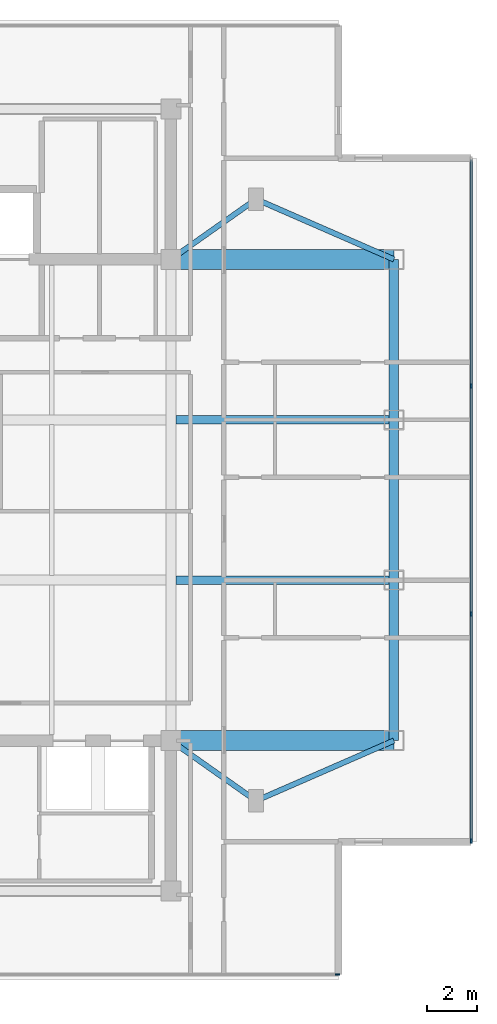
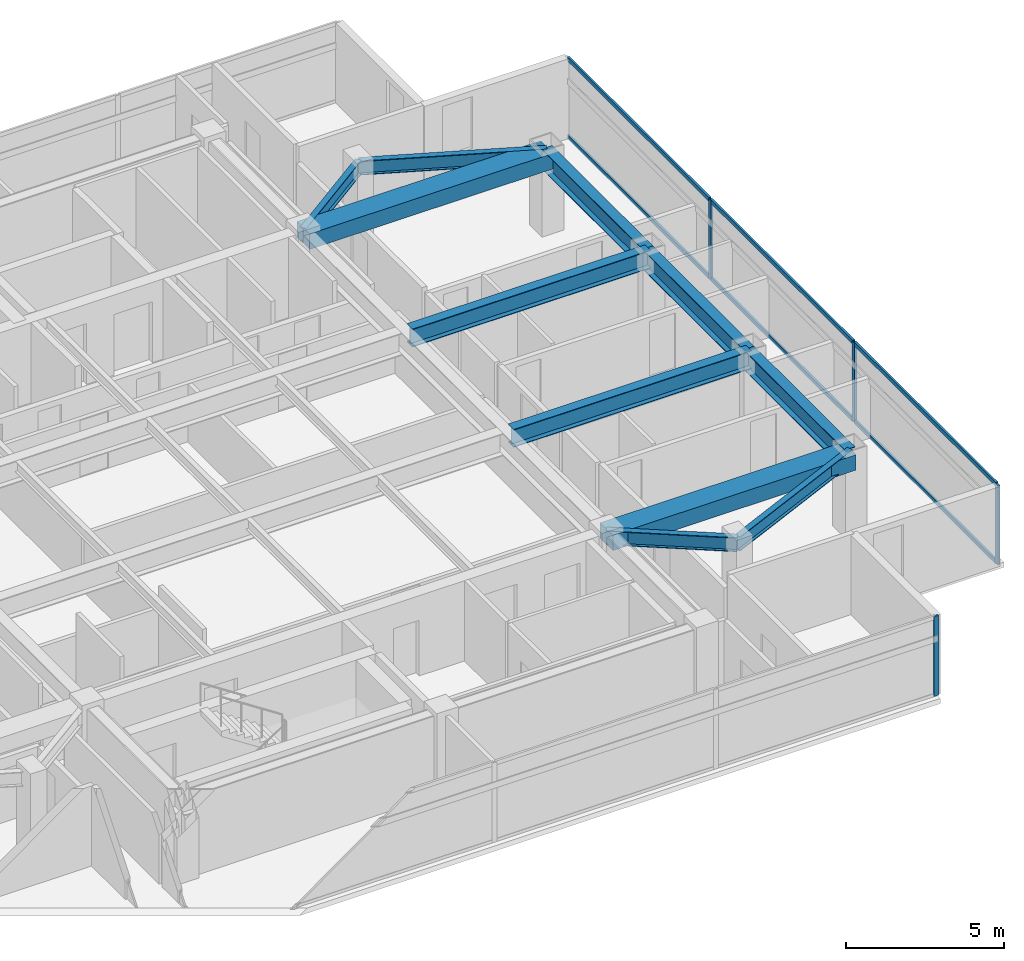
# One storey, part 4 of 14: 11 beams, 10 members, 2 elements without a shape of their own.
"""IFC4 building model written with IfcOpenShell, lengths in metres."""

from ifc_helpers import new_model, si_unit, direction, frame, origin, origin_2d, place, context, subcontext, project, spatial, rectangle, i_section, extrude, material, material_profile, profile_set, type_object, element, aggregate, save


model = new_model("IFC4")

# Units and contexts
model_context = context("Model", 3, precision=1e-05, world=origin(), true_north=direction((0.0, 1.0)))
body_context = subcontext(model_context, "Body", "Model", "MODEL_VIEW")
ifc_project = project(units=[si_unit("LENGTHUNIT", "METRE"), si_unit("AREAUNIT", "SQUARE_METRE"), si_unit("VOLUMEUNIT", "CUBIC_METRE"), si_unit("PLANEANGLEUNIT", "RADIAN"), si_unit("MASSUNIT", "GRAM", prefix="KILO")], contexts=[model_context])

# Site, building, storey
site_placement = place(None, origin())
site = spatial("IfcSite", under=ifc_project, at=site_placement, CompositionType="ELEMENT")
building_placement = place(site_placement, origin())
building = spatial("IfcBuilding", under=site, at=building_placement, Name="Mirazonda Arch Towers", CompositionType="ELEMENT")
storey_placement = place(building_placement, frame((0.0, 0.0, 235.89990234375)))
storey = spatial("IfcBuildingStorey", under=building, at=storey_placement, Name="L67", CompositionType="ELEMENT", Elevation=235.89990234375)

# Beams
ifc_material_1 = material(Name="Steel ASTM A992 Grade 50", Category="steel")
ifc_material_profile_1 = material_profile(ifc_material_1, i_section(OverallWidth=0.381103515625, OverallDepth=0.77294921875, WebThickness=0.0166015625, FlangeThickness=0.027099609375, at=origin_2d()), Name="W30X173")
ifc_profile_set_1 = profile_set([ifc_material_profile_1], Name="Steel ASTM A992 Grade 50")
beam_type_1 = type_object("IfcBeamType", Name="BM-EXT-W30X173", PredefinedType="USERDEFINED", material=ifc_profile_set_1)
beam_1_placement = place(storey_placement, frame((38.89990234375, 18.39990234375, 2.713623046875), z_axis=(0.0, 1.0, 0.0), x_axis=(-1.0, 0.0, 0.0)))
element("IfcBeam", 1, at=beam_1_placement, inside=storey, type_object=beam_type_1, Name="L67 Floor Beam BM-T1-L67-NS-E-18", ObjectType="GIRDER", PredefinedType="USERDEFINED", context=body_context, shape_type="SweptSolid", body=[
    extrude(i_section(OverallWidth=0.381103515625, OverallDepth=0.77294921875, WebThickness=0.0166015625, FlangeThickness=0.027099609375, at=origin_2d()), origin(), (0.0, 0.0, 1.0), 6.400146484375),
])
beam_2_placement = place(storey_placement, frame((38.89990234375, 24.800048828125, 2.713623046875), z_axis=(0.0, 1.0, 0.0), x_axis=(-1.0, 0.0, 0.0)))
element("IfcBeam", 2, at=beam_2_placement, inside=storey, type_object=beam_type_1, Name="L67 Floor Beam BM-T1-L67-NS-E-24", ObjectType="GIRDER", PredefinedType="USERDEFINED", context=body_context, shape_type="SweptSolid", body=[
    extrude(i_section(OverallWidth=0.381103515625, OverallDepth=0.77294921875, WebThickness=0.0166015625, FlangeThickness=0.027099609375, at=origin_2d()), origin(), (0.0, 0.0, 1.0), 6.39990234375),
])
beam_3_placement = place(storey_placement, frame((38.89990234375, 31.199951171875, 2.713623046875), z_axis=(0.0, 1.0, 0.0), x_axis=(-1.0, 0.0, 0.0)))
element("IfcBeam", 3, at=beam_3_placement, inside=storey, type_object=beam_type_1, Name="L67 Floor Beam BM-T1-L67-NS-E-31", ObjectType="GIRDER", PredefinedType="USERDEFINED", context=body_context, shape_type="SweptSolid", body=[
    extrude(i_section(OverallWidth=0.381103515625, OverallDepth=0.77294921875, WebThickness=0.0166015625, FlangeThickness=0.027099609375, at=origin_2d()), origin(), (0.0, 0.0, 1.0), 6.400146484375),
])
ifc_material_profile_2 = material_profile(ifc_material_1, i_section(OverallWidth=0.214111328125, OverallDepth=0.549072265625, WebThickness=0.0146484375, FlangeThickness=0.023681640625, at=origin_2d()), Name="W21X93")
ifc_profile_set_2 = profile_set([ifc_material_profile_2], Name="Steel ASTM A992 Grade 50")
beam_type_2 = type_object("IfcBeamType", Name="BM-INT-W21X93", PredefinedType="BEAM", material=ifc_profile_set_2)
beam_4_placement = place(storey_placement, frame((33.39990234375, 16.0, 2.82568359375), z_axis=(-0.816971114901, 0.576678591087, 0.0), x_axis=(-0.576678591087, -0.816971114901, 0.0)))
element("IfcBeam", 4, at=beam_4_placement, inside=storey, type_object=beam_type_2, Name="L67 Floor Beam BM-T1-L67-PL-SE1", PredefinedType="BEAM", context=body_context, shape_type="SweptSolid", body=[
    extrude(i_section(OverallWidth=0.214111328125, OverallDepth=0.549072265625, WebThickness=0.0146484375, FlangeThickness=0.023681640625, at=origin_2d()), origin(), (0.0, 0.0, 1.0), 4.16162109375),
])
beam_5_placement = place(storey_placement, frame((33.39990234375, 16.0, 2.82568359375), z_axis=(0.916545343703, 0.399930785183, 0.0), x_axis=(-0.399930785183, 0.916545343703, 0.0)))
element("IfcBeam", 5, at=beam_5_placement, inside=storey, type_object=beam_type_2, Name="L67 Floor Beam BM-T1-L67-PL-SE2", PredefinedType="BEAM", context=body_context, shape_type="SweptSolid", body=[
    extrude(i_section(OverallWidth=0.214111328125, OverallDepth=0.549072265625, WebThickness=0.0146484375, FlangeThickness=0.023681640625, at=origin_2d()), origin(), (0.0, 0.0, 1.0), 6.000732421875),
])
beam_6_placement = place(storey_placement, frame((33.39990234375, 40.0, 2.82568359375), z_axis=(-0.816971114901, -0.576678591087, 0.0), x_axis=(0.576678591087, -0.816971114901, 0.0)))
element("IfcBeam", 6, at=beam_6_placement, inside=storey, type_object=beam_type_2, Name="L67 Floor Beam BM-T1-L67-PL-NE1", PredefinedType="BEAM", context=body_context, shape_type="SweptSolid", body=[
    extrude(i_section(OverallWidth=0.214111328125, OverallDepth=0.549072265625, WebThickness=0.0146484375, FlangeThickness=0.023681640625, at=origin_2d()), origin(), (0.0, 0.0, 1.0), 4.16162109375),
])
beam_7_placement = place(storey_placement, frame((33.39990234375, 40.0, 2.82568359375), z_axis=(0.916545343703, -0.399930785183, 0.0), x_axis=(0.399930785183, 0.916545343703, 0.0)))
element("IfcBeam", 7, at=beam_7_placement, inside=storey, type_object=beam_type_2, Name="L67 Floor Beam BM-T1-L67-PL-NE2", PredefinedType="BEAM", context=body_context, shape_type="SweptSolid", body=[
    extrude(i_section(OverallWidth=0.214111328125, OverallDepth=0.549072265625, WebThickness=0.0146484375, FlangeThickness=0.023681640625, at=origin_2d()), origin(), (0.0, 0.0, 1.0), 6.000732421875),
])
ifc_material_profile_3 = material_profile(ifc_material_1, i_section(OverallWidth=0.35498046875, OverallDepth=0.696044921875, WebThickness=0.015380859375, FlangeThickness=0.02490234375, at=origin_2d()), Name="W27X146")
ifc_profile_set_3 = profile_set([ifc_material_profile_3], Name="Steel ASTM A992 Grade 50")
beam_type_3 = type_object("IfcBeamType", Name="BM-INT-W27X146", PredefinedType="BEAM", material=ifc_profile_set_3)
for number, where, z_axis, x_axis, name in (
    (8, (30.199951171875, 24.800048828125, 2.752197265625), (1.0, 0.0, 0.0), (0.0, 1.0, 0.0), "L67 Floor Beam BM-T1-L67-GE2"),
    (9, (30.199951171875, 31.199951171875, 2.752197265625), (1.0, 0.0, 0.0), (0.0, 1.0, 0.0), "L67 Floor Beam BM-T1-L67-GE3"),
):
    element("IfcBeam", number, at=place(storey_placement, frame(where, z_axis=z_axis, x_axis=x_axis)), inside=storey, type_object=beam_type_3, Name=name, PredefinedType="BEAM", context=body_context, shape_type="SweptSolid", body=[
        extrude(i_section(OverallWidth=0.35498046875, OverallDepth=0.696044921875, WebThickness=0.015380859375, FlangeThickness=0.02490234375, at=origin_2d()), origin(), (0.0, 0.0, 1.0), 8.699951171875),
    ])
ifc_material_2 = material(Name="Concrete C60/75", Category="concrete")
ifc_material_profile_4 = material_profile(ifc_material_2, rectangle(XDim=0.800048828125, YDim=0.60009765625, at=origin_2d()), Name="RCCB800x600")
ifc_profile_set_4 = profile_set([ifc_material_profile_4], Name="Concrete C60/75")
beam_type_4 = type_object("IfcBeamType", Name="CB-INT-RCCB800x600", PredefinedType="SPANDREL", material=ifc_profile_set_4)
for number, where, z_axis, x_axis, name in (
    (10, (30.0, 37.60009765625, 2.800048828125), (1.0, 0.0, 0.0), (0.0, 1.0, 0.0), "L67 Floor Beam CBC-T1-L67-NE"),
    (11, (30.0, 18.39990234375, 2.800048828125), (1.0, 0.0, 0.0), (0.0, 1.0, 0.0), "L67 Floor Beam CBC-T1-L67-SE"),
):
    element("IfcBeam", number, at=place(storey_placement, frame(where, z_axis=z_axis, x_axis=x_axis)), inside=storey, type_object=beam_type_4, Name=name, PredefinedType="SPANDREL", context=body_context, shape_type="SweptSolid", body=[
        extrude(rectangle(XDim=0.800048828125, YDim=0.60009765625, at=origin_2d()), origin(), (0.0, 0.0, 1.0), 8.89990234375),
    ])

# Curtain wall, member
ifc_material_3 = material(Name="Anodised Aluminium and Low-E Glass", Category="aluminium")
curtain_wall_type = type_object("IfcCurtainWallType", Name="CW-RES-UNIT", PredefinedType="NOTDEFINED", material=ifc_material_3)
curtain_wall_1_placement = place(storey_placement, origin())
curtain_wall_1 = element("IfcCurtainWall", 12, at=curtain_wall_1_placement, inside=storey, type_object=curtain_wall_type, Name="L67 T1 S Facade CW-L67-T1-S", PredefinedType="NOTDEFINED")
ifc_material_4 = material(Name="Anodised Aluminium Alloy", Category="aluminium")
ifc_material_profile_5 = material_profile(ifc_material_4, rectangle(XDim=0.074951171875, YDim=0.175048828125, at=origin_2d()), Name="ALU-MULL-75x175")
ifc_profile_set_5 = profile_set([ifc_material_profile_5], Name="Anodised Aluminium Alloy")
member_type_1 = type_object("IfcMemberType", Name="MULL-CW-RES-UNIT", PredefinedType="MULLION", material=ifc_profile_set_5)
member_1_placement = place(storey_placement, frame((36.652587890625, 9.070068359375, 0.0), z_axis=(0.0, 0.0, 1.0), x_axis=(0.0, -1.0, 0.0)))
member_1 = element("IfcMember", 13, at=member_1_placement, type_object=member_type_1, Name="CW-104 mullion 1", PredefinedType="MULLION", context=body_context, shape_type="SweptSolid", body=[
    extrude(rectangle(XDim=0.074951171875, YDim=0.175048828125, at=origin_2d()), origin(), (0.0, 0.0, 1.0), 3.080078125),
])
aggregate(curtain_wall_1, [member_1])

# Curtain wall, members
curtain_wall_2_placement = place(storey_placement, origin())
curtain_wall_2 = element("IfcCurtainWall", 14, at=curtain_wall_2_placement, inside=storey, type_object=curtain_wall_type, Name="L67 T1 E Facade CW-L67-T1-E", PredefinedType="NOTDEFINED")
member_2_placement = place(storey_placement, frame((41.97998046875, 14.3974609375, 0.0), z_axis=(0.0, 0.0, 1.0), x_axis=(-1.0, 0.0, 0.0)))
member_2 = element("IfcMember", 15, at=member_2_placement, type_object=member_type_1, Name="CW-104 mullion 1", PredefinedType="MULLION", context=body_context, shape_type="SweptSolid", body=[
    extrude(rectangle(XDim=0.074951171875, YDim=0.175048828125, at=origin_2d()), origin(), (0.0, 0.0, 1.0), 3.080078125),
])
member_3_placement = place(storey_placement, frame((41.97998046875, 23.453369140625, 0.0), z_axis=(0.0, 0.0, 1.0), x_axis=(-1.0, 0.0, 0.0)))
member_3 = element("IfcMember", 16, at=member_3_placement, type_object=member_type_1, Name="CW-104 mullion 2", PredefinedType="MULLION", context=body_context, shape_type="SweptSolid", body=[
    extrude(rectangle(XDim=0.074951171875, YDim=0.175048828125, at=origin_2d()), origin(), (0.0, 0.0, 1.0), 3.080078125),
])
member_4_placement = place(storey_placement, frame((41.97998046875, 32.546630859375, 0.0), z_axis=(0.0, 0.0, 1.0), x_axis=(-1.0, 0.0, 0.0)))
member_4 = element("IfcMember", 17, at=member_4_placement, type_object=member_type_1, Name="CW-104 mullion 3", PredefinedType="MULLION", context=body_context, shape_type="SweptSolid", body=[
    extrude(rectangle(XDim=0.074951171875, YDim=0.175048828125, at=origin_2d()), origin(), (0.0, 0.0, 1.0), 3.080078125),
])
ifc_material_profile_6 = material_profile(ifc_material_4, rectangle(XDim=0.074951171875, YDim=0.155029296875, at=origin_2d()), Name="ALU-TRAN-75x155")
ifc_profile_set_6 = profile_set([ifc_material_profile_6], Name="Anodised Aluminium Alloy")
member_type_2 = type_object("IfcMemberType", Name="TRAN-CW-RES-UNIT", PredefinedType="USERDEFINED", material=ifc_profile_set_6)
member_5_placement = place(storey_placement, frame((41.97998046875, 14.43505859375, 0.03759765625), z_axis=(0.0, 1.0, 0.0), x_axis=(-1.0, 0.0, 0.0)))
member_5 = element("IfcMember", 18, at=member_5_placement, type_object=member_type_2, Name="CW-104 transom 1.1", ObjectType="TRANSOM", PredefinedType="USERDEFINED", context=body_context, shape_type="SweptSolid", body=[
    extrude(rectangle(XDim=0.074951171875, YDim=0.155029296875, at=origin_2d()), origin(), (0.0, 0.0, 1.0), 8.980712890625),
])
member_6_placement = place(storey_placement, frame((41.97998046875, 14.43505859375, 3.04248046875), z_axis=(0.0, 1.0, 0.0), x_axis=(-1.0, 0.0, 0.0)))
member_6 = element("IfcMember", 19, at=member_6_placement, type_object=member_type_2, Name="CW-104 transom 1.2", ObjectType="TRANSOM", PredefinedType="USERDEFINED", context=body_context, shape_type="SweptSolid", body=[
    extrude(rectangle(XDim=0.074951171875, YDim=0.155029296875, at=origin_2d()), origin(), (0.0, 0.0, 1.0), 8.980712890625),
])
member_7_placement = place(storey_placement, frame((41.97998046875, 23.49072265625, 0.03759765625), z_axis=(0.0, 1.0, 0.0), x_axis=(-1.0, 0.0, 0.0)))
member_7 = element("IfcMember", 20, at=member_7_placement, type_object=member_type_2, Name="CW-104 transom 2.1", ObjectType="TRANSOM", PredefinedType="USERDEFINED", context=body_context, shape_type="SweptSolid", body=[
    extrude(rectangle(XDim=0.074951171875, YDim=0.155029296875, at=origin_2d()), origin(), (0.0, 0.0, 1.0), 9.0185546875),
])
member_8_placement = place(storey_placement, frame((41.97998046875, 23.49072265625, 3.04248046875), z_axis=(0.0, 1.0, 0.0), x_axis=(-1.0, 0.0, 0.0)))
member_8 = element("IfcMember", 21, at=member_8_placement, type_object=member_type_2, Name="CW-104 transom 2.2", ObjectType="TRANSOM", PredefinedType="USERDEFINED", context=body_context, shape_type="SweptSolid", body=[
    extrude(rectangle(XDim=0.074951171875, YDim=0.155029296875, at=origin_2d()), origin(), (0.0, 0.0, 1.0), 9.0185546875),
])
member_9_placement = place(storey_placement, frame((41.97998046875, 32.584228515625, 0.03759765625), z_axis=(0.0, 1.0, 0.0), x_axis=(-1.0, 0.0, 0.0)))
member_9 = element("IfcMember", 22, at=member_9_placement, type_object=member_type_2, Name="CW-104 transom 3.1", ObjectType="TRANSOM", PredefinedType="USERDEFINED", context=body_context, shape_type="SweptSolid", body=[
    extrude(rectangle(XDim=0.074951171875, YDim=0.155029296875, at=origin_2d()), origin(), (0.0, 0.0, 1.0), 8.980712890625),
])
member_10_placement = place(storey_placement, frame((41.97998046875, 32.584228515625, 3.04248046875), z_axis=(0.0, 1.0, 0.0), x_axis=(-1.0, 0.0, 0.0)))
member_10 = element("IfcMember", 23, at=member_10_placement, type_object=member_type_2, Name="CW-104 transom 3.2", ObjectType="TRANSOM", PredefinedType="USERDEFINED", context=body_context, shape_type="SweptSolid", body=[
    extrude(rectangle(XDim=0.074951171875, YDim=0.155029296875, at=origin_2d()), origin(), (0.0, 0.0, 1.0), 8.980712890625),
])
aggregate(curtain_wall_2, [member_2, member_3, member_4, member_5, member_6, member_7, member_8, member_9, member_10])

save(model, "model.ifc")
